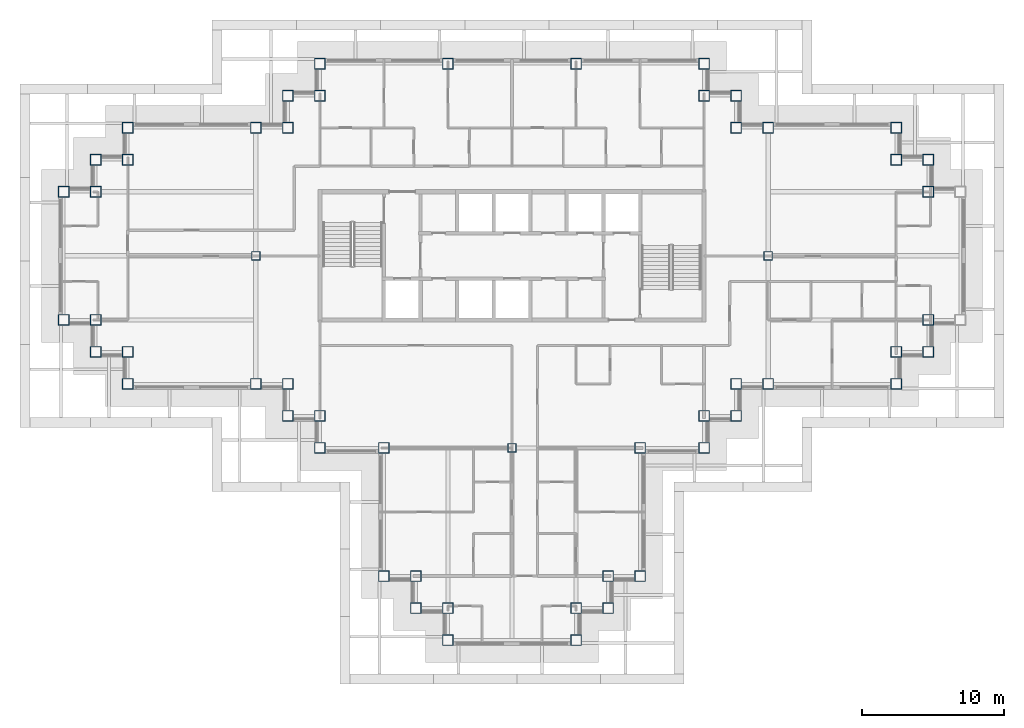
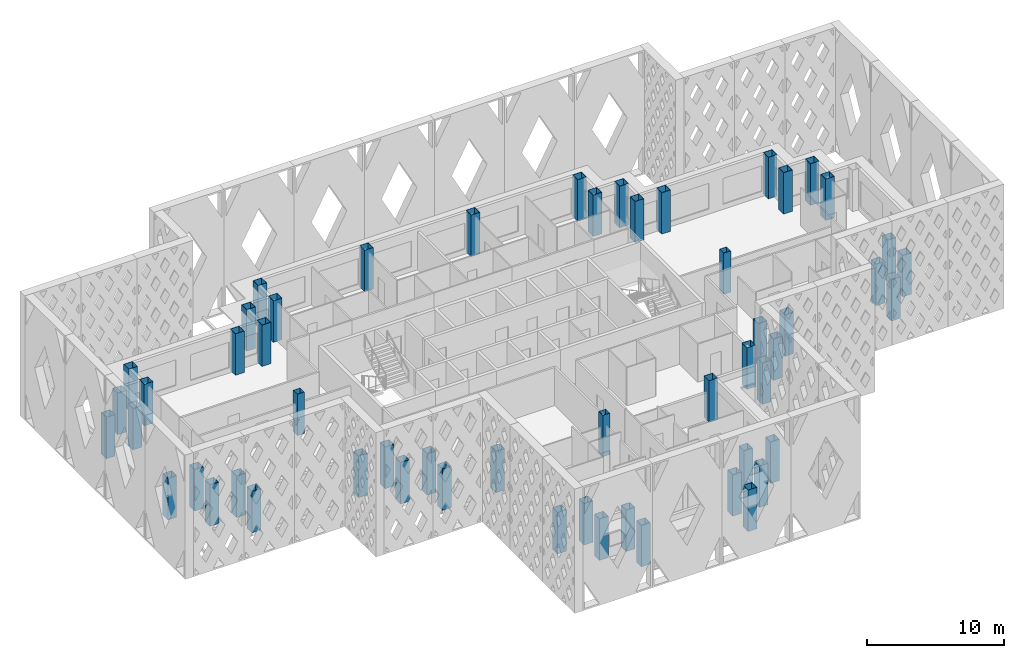
# One storey, part 1 of 18: 55 columns.
"""IFC4 building model written with IfcOpenShell, lengths in metres."""

from ifc_helpers import new_model, si_unit, direction, frame, origin, origin_2d, place, context, subcontext, project, spatial, hollow_rectangle, extrude, material, material_profile, profile_set, type_object, element, save


model = new_model("IFC4")

# Units and contexts
model_context = context("Model", 3, precision=1e-05, world=origin(), true_north=direction((0.0, 1.0)))
body_context = subcontext(model_context, "Body", "Model", "MODEL_VIEW")
ifc_project = project(units=[si_unit("LENGTHUNIT", "METRE"), si_unit("AREAUNIT", "SQUARE_METRE"), si_unit("VOLUMEUNIT", "CUBIC_METRE"), si_unit("PLANEANGLEUNIT", "RADIAN"), si_unit("MASSUNIT", "GRAM", prefix="KILO")], contexts=[model_context])

# Site, building, storey
site_placement = place(None, origin())
site = spatial("IfcSite", under=ifc_project, at=site_placement, CompositionType="ELEMENT")
building_placement = place(site_placement, origin())
building = spatial("IfcBuilding", under=site, at=building_placement, Name="Caravel Reach Hotel and Residences", CompositionType="ELEMENT")
storey_placement = place(building_placement, frame((0.0, 0.0, 176.5)))
storey = spatial("IfcBuildingStorey", under=building, at=storey_placement, Name="L44", CompositionType="ELEMENT", Elevation=176.5)

# Columns
ifc_material_1 = material(Name="Concrete-filled steel tube Q390B with Concrete C60 infill", Category="concrete")
ifc_material_profile_1 = material_profile(ifc_material_1, hollow_rectangle(XDim=0.60009765625, YDim=0.60009765625, WallThickness=0.02001953125, at=origin_2d()), Name="RHS 600x600x20")
ifc_profile_set_1 = profile_set([ifc_material_profile_1], Name="Concrete-filled steel tube Q390B with Concrete C60 infill")
column_type_1 = type_object("IfcColumnType", Name="CFT 600x600 Q390B C60", PredefinedType="COLUMN", material=ifc_profile_set_1)
for number, where, z_axis, x_axis, name in (
    (1, (31.5, 13.5, 0.0), (0.0, 0.0, 1.0), (1.0, 0.0, 0.0), "C8 column"),
    (2, (13.5, 27.0, 0.0), (0.0, 0.0, 1.0), (1.0, 0.0, 0.0), "C8 column"),
    (3, (49.5, 27.0, 0.0), (0.0, 0.0, 1.0), (1.0, 0.0, 0.0), "C8 column"),
):
    element("IfcColumn", number, at=place(storey_placement, frame(where, z_axis=z_axis, x_axis=x_axis)), inside=storey, type_object=column_type_1, Name=name, PredefinedType="COLUMN", context=body_context, shape_type="SweptSolid", body=[
        extrude(hollow_rectangle(XDim=0.60009765625, YDim=0.60009765625, WallThickness=0.02001953125, at=origin_2d()), origin(), (0.0, 0.0, 1.0), 3.699951171875),
    ])
ifc_material_2 = material(Name="Concrete-filled steel tube Q390B with Concrete C60 infill", Category="concrete")
ifc_material_profile_2 = material_profile(ifc_material_2, hollow_rectangle(XDim=0.75, YDim=0.75, WallThickness=0.02392578125, at=origin_2d()), Name="RHS 750x750x24")
ifc_profile_set_2 = profile_set([ifc_material_profile_2], Name="Concrete-filled steel tube Q390B with Concrete C60 infill")
column_type_2 = type_object("IfcColumnType", Name="CFT 750x750 Q390B C60", PredefinedType="COLUMN", material=ifc_profile_set_2)
for number, where, z_axis, x_axis, name in (
    (4, (22.5, 4.5, 0.0), (0.0, 0.0, 1.0), (1.0, 0.0, 0.0), "C14 column"),
    (5, (24.75, 4.5, 0.0), (0.0, 0.0, 1.0), (1.0, 0.0, 0.0), "C14 column"),
    (6, (24.75, 2.25, 0.0), (0.0, 0.0, 1.0), (1.0, 0.0, 0.0), "C14 column"),
    (7, (27.0, 2.25, 0.0), (0.0, 0.0, 1.0), (1.0, 0.0, 0.0), "C14 column"),
    (8, (27.0, 0.0, 0.0), (0.0, 0.0, 1.0), (1.0, 0.0, 0.0), "C14 column"),
    (9, (36.0, 0.0, 0.0), (0.0, 0.0, 1.0), (1.0, 0.0, 0.0), "C14 column"),
    (10, (36.0, 2.25, 0.0), (0.0, 0.0, 1.0), (1.0, 0.0, 0.0), "C14 column"),
    (11, (38.25, 2.25, 0.0), (0.0, 0.0, 1.0), (1.0, 0.0, 0.0), "C14 column"),
    (12, (38.25, 4.5, 0.0), (0.0, 0.0, 1.0), (1.0, 0.0, 0.0), "C14 column"),
    (13, (40.5, 4.5, 0.0), (0.0, 0.0, 1.0), (1.0, 0.0, 0.0), "C14 column"),
    (14, (40.5, 13.5, 0.0), (0.0, 0.0, 1.0), (1.0, 0.0, 0.0), "C14 column"),
    (15, (45.0, 13.5, 0.0), (0.0, 0.0, 1.0), (1.0, 0.0, 0.0), "C14 column"),
    (16, (45.0, 15.75, 0.0), (0.0, 0.0, 1.0), (1.0, 0.0, 0.0), "C14 column"),
    (17, (47.25, 15.75, 0.0), (0.0, 0.0, 1.0), (1.0, 0.0, 0.0), "C14 column"),
    (18, (47.25, 18.0, 0.0), (0.0, 0.0, 1.0), (1.0, 0.0, 0.0), "C14 column"),
    (19, (49.5, 18.0, 0.0), (0.0, 0.0, 1.0), (1.0, 0.0, 0.0), "C14 column"),
    (20, (58.5, 18.0, 0.0), (0.0, 0.0, 1.0), (1.0, 0.0, 0.0), "C14 column"),
    (21, (58.5, 20.25, 0.0), (0.0, 0.0, 1.0), (1.0, 0.0, 0.0), "C14 column"),
    (22, (60.75, 20.25, 0.0), (0.0, 0.0, 1.0), (1.0, 0.0, 0.0), "C14 column"),
    (23, (60.75, 22.5, 0.0), (0.0, 0.0, 1.0), (1.0, 0.0, 0.0), "C14 column"),
    (24, (60.75, 31.5, 0.0), (0.0, 0.0, 1.0), (1.0, 0.0, 0.0), "C14 column"),
    (25, (60.75, 33.75, 0.0), (0.0, 0.0, 1.0), (1.0, 0.0, 0.0), "C14 column"),
    (26, (58.5, 33.75, 0.0), (0.0, 0.0, 1.0), (1.0, 0.0, 0.0), "C14 column"),
    (27, (58.5, 36.0, 0.0), (0.0, 0.0, 1.0), (1.0, 0.0, 0.0), "C14 column"),
    (28, (49.5, 36.0, 0.0), (0.0, 0.0, 1.0), (1.0, 0.0, 0.0), "C14 column"),
    (29, (47.25, 36.0, 0.0), (0.0, 0.0, 1.0), (1.0, 0.0, 0.0), "C14 column"),
    (30, (47.25, 38.25, 0.0), (0.0, 0.0, 1.0), (1.0, 0.0, 0.0), "C14 column"),
    (31, (45.0, 38.25, 0.0), (0.0, 0.0, 1.0), (1.0, 0.0, 0.0), "C14 column"),
    (32, (45.0, 40.5, 0.0), (0.0, 0.0, 1.0), (1.0, 0.0, 0.0), "C14 column"),
    (33, (36.0, 40.5, 0.0), (0.0, 0.0, 1.0), (1.0, 0.0, 0.0), "C14 column"),
    (34, (27.0, 40.5, 0.0), (0.0, 0.0, 1.0), (1.0, 0.0, 0.0), "C14 column"),
    (35, (18.0, 40.5, 0.0), (0.0, 0.0, 1.0), (1.0, 0.0, 0.0), "C14 column"),
    (36, (18.0, 38.25, 0.0), (0.0, 0.0, 1.0), (1.0, 0.0, 0.0), "C14 column"),
    (37, (15.75, 38.25, 0.0), (0.0, 0.0, 1.0), (1.0, 0.0, 0.0), "C14 column"),
    (38, (15.75, 36.0, 0.0), (0.0, 0.0, 1.0), (1.0, 0.0, 0.0), "C14 column"),
    (39, (13.5, 36.0, 0.0), (0.0, 0.0, 1.0), (1.0, 0.0, 0.0), "C14 column"),
    (40, (4.5, 36.0, 0.0), (0.0, 0.0, 1.0), (1.0, 0.0, 0.0), "C14 column"),
    (41, (4.5, 33.75, 0.0), (0.0, 0.0, 1.0), (1.0, 0.0, 0.0), "C14 column"),
    (42, (2.25, 33.75, 0.0), (0.0, 0.0, 1.0), (1.0, 0.0, 0.0), "C14 column"),
    (43, (2.25, 31.5, 0.0), (0.0, 0.0, 1.0), (1.0, 0.0, 0.0), "C14 column"),
    (44, (0.0, 31.5, 0.0), (0.0, 0.0, 1.0), (1.0, 0.0, 0.0), "C14 column"),
    (45, (0.0, 22.5, 0.0), (0.0, 0.0, 1.0), (1.0, 0.0, 0.0), "C14 column"),
    (46, (2.25, 22.5, 0.0), (0.0, 0.0, 1.0), (1.0, 0.0, 0.0), "C14 column"),
    (47, (2.25, 20.25, 0.0), (0.0, 0.0, 1.0), (1.0, 0.0, 0.0), "C14 column"),
    (48, (4.5, 20.25, 0.0), (0.0, 0.0, 1.0), (1.0, 0.0, 0.0), "C14 column"),
    (49, (4.5, 18.0, 0.0), (0.0, 0.0, 1.0), (1.0, 0.0, 0.0), "C14 column"),
    (50, (13.5, 18.0, 0.0), (0.0, 0.0, 1.0), (1.0, 0.0, 0.0), "C14 column"),
    (51, (15.75, 18.0, 0.0), (0.0, 0.0, 1.0), (1.0, 0.0, 0.0), "C14 column"),
    (52, (15.75, 15.75, 0.0), (0.0, 0.0, 1.0), (1.0, 0.0, 0.0), "C14 column"),
    (53, (18.0, 15.75, 0.0), (0.0, 0.0, 1.0), (1.0, 0.0, 0.0), "C14 column"),
    (54, (18.0, 13.5, 0.0), (0.0, 0.0, 1.0), (1.0, 0.0, 0.0), "C14 column"),
    (55, (22.5, 13.5, 0.0), (0.0, 0.0, 1.0), (1.0, 0.0, 0.0), "C14 column"),
):
    element("IfcColumn", number, at=place(storey_placement, frame(where, z_axis=z_axis, x_axis=x_axis)), inside=storey, type_object=column_type_2, Name=name, PredefinedType="COLUMN", context=body_context, shape_type="SweptSolid", body=[
        extrude(hollow_rectangle(XDim=0.75, YDim=0.75, WallThickness=0.02392578125, at=origin_2d()), origin(), (0.0, 0.0, 1.0), 3.699951171875),
    ])

save(model, "model.ifc")
